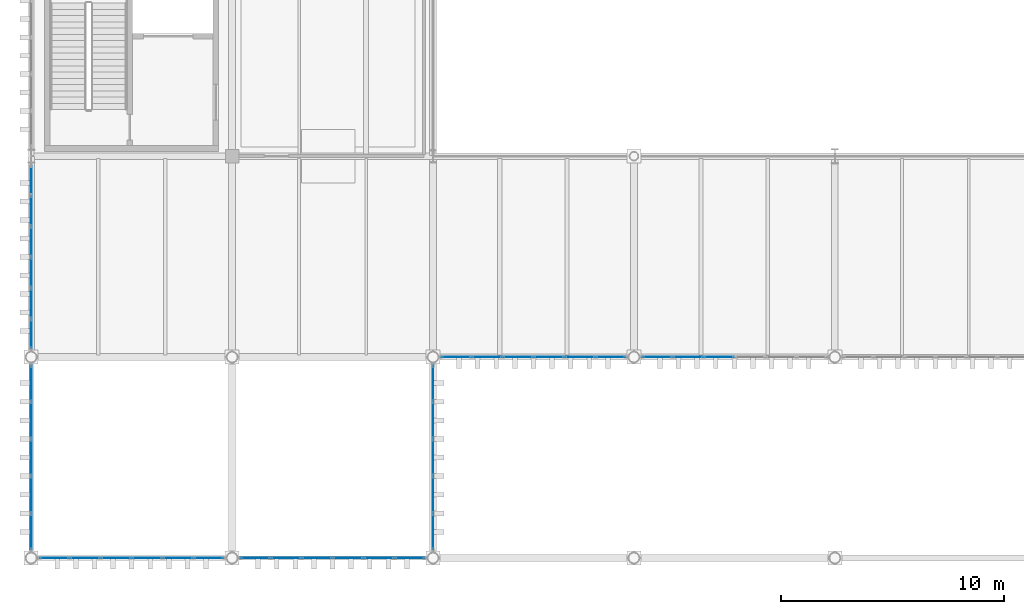
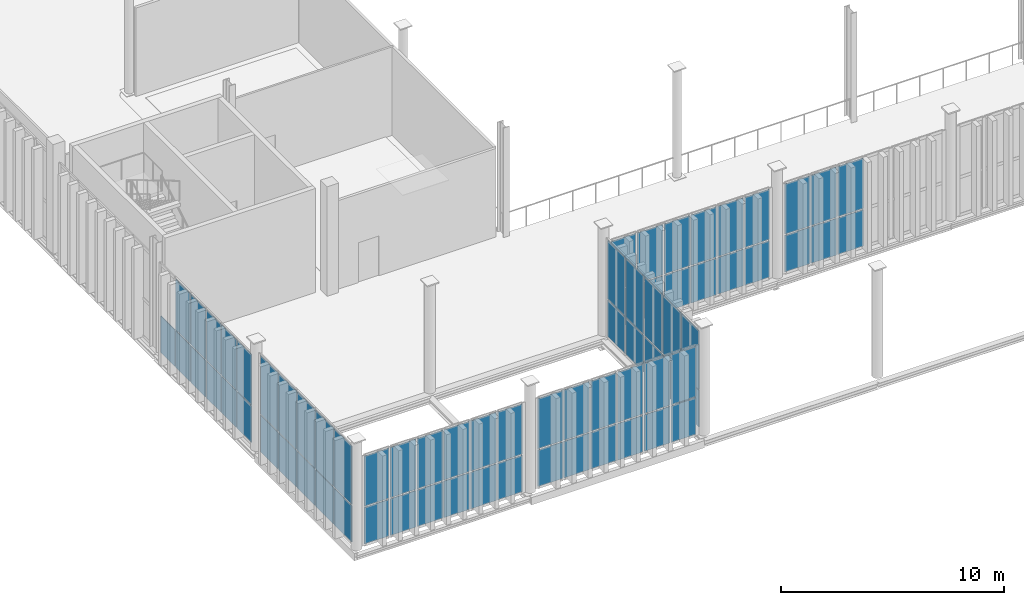
# One storey, part 151 of 211: 73 plates, 7 elements without a shape of their own.
"""IFC4 building model written with IfcOpenShell, lengths in metres."""

import ifcopenshell
import ifcopenshell.guid

model = None  # the IFC model being written
_history = None  # IfcOwnerHistory: only IFC2X3 demands one
_inside = {}  # id of a spatial element -> (the spatial element, [elements in it])
_under = {}  # id of a project, library or spatial element -> (it, [spatial elements below it])
_declared = {}  # id of a project -> (the project, [libraries it declares])
_typed = {}  # id of a type object -> (the type object, [elements of that type])
_made_of = {}  # id of a material, layer set ... -> (it, [elements and type objects made of it])


def new_model(schema):
    """Start an empty IFC model of exactly this schema.

    Asked for "IFC4X3", IfcOpenShell would pick the latest addendum, in which some entities
    have other attributes; the version numbers below select the first issue.
    IFC2X3 requires an IfcOwnerHistory on every rooted entity: one is made here for all.
    """
    global model, _history
    if schema == "IFC4X3":
        model = ifcopenshell.file(schema_version=(4, 3, 0, 0))
    else:
        model = ifcopenshell.file(schema=schema)
    _inside.clear()
    _under.clear()
    _declared.clear()
    _typed.clear()
    _made_of.clear()
    _history = None
    if model.schema == "IFC2X3":
        org = make("IfcOrganization", Name="unknown")
        user = make(
            "IfcPersonAndOrganization",
            ThePerson=make("IfcPerson", FamilyName="unknown"),
            TheOrganization=org,
        )
        app = make(
            "IfcApplication",
            ApplicationDeveloper=org,
            Version="unknown",
            ApplicationFullName="unknown",
            ApplicationIdentifier="unknown",
        )
        _history = make(
            "IfcOwnerHistory",
            OwningUser=user,
            OwningApplication=app,
            ChangeAction="ADDED",
            CreationDate=0,
        )
    return model


def make(cls, **values):
    """One entity of the class cls with the attributes given. An attribute that is None is left unset."""
    return model.create_entity(
        cls, **{name: value for name, value in values.items() if value is not None}
    )


def rooted(cls, **values):
    """An entity with a GlobalId (a new one), such as an element, a storey or a relation."""
    return make(cls, GlobalId=ifcopenshell.guid.new(), OwnerHistory=_history, **values)


def si_unit(unit_type, name, prefix=None):
    """IfcSIUnit, for example si_unit("LENGTHUNIT", "METRE", prefix="MILLI")."""
    return make("IfcSIUnit", UnitType=unit_type, Prefix=prefix, Name=name)


def assignment(units):
    """IfcUnitAssignment: the units of a project."""
    return None if units is None else make("IfcUnitAssignment", Units=units)


def point(xyz):
    """IfcCartesianPoint."""
    return None if xyz is None else make("IfcCartesianPoint", Coordinates=xyz)


def direction(xyz):
    """IfcDirection."""
    return None if xyz is None else make("IfcDirection", DirectionRatios=xyz)


def frame(location, z_axis=None, x_axis=None):
    """IfcAxis2Placement3D, a coordinate frame: its origin and axes. An axis left out is left unset."""
    return make(
        "IfcAxis2Placement3D",
        Location=point(location),
        Axis=direction(z_axis),
        RefDirection=direction(x_axis),
    )


def frame_2d(location, x_axis=None):
    """IfcAxis2Placement2D, a coordinate frame in the plane: its origin and x axis."""
    return make(
        "IfcAxis2Placement2D", Location=point(location), RefDirection=direction(x_axis)
    )


def origin():
    """The frame at (0, 0, 0) with its axes left unset."""
    return frame((0.0, 0.0, 0.0))


def origin_2d():
    """The frame at (0, 0) in the plane with its x axis left unset."""
    return frame_2d((0.0, 0.0))


def place(relative_to, where):
    """IfcLocalPlacement: puts the frame where relative to a parent placement (None: the world)."""
    return make(
        "IfcLocalPlacement", PlacementRelTo=relative_to, RelativePlacement=where
    )


def context(
    kind, dimensions, precision=None, world=None, true_north=None, identifier=None
):
    """IfcGeometricRepresentationContext, for example the 3D "Model" context."""
    return make(
        "IfcGeometricRepresentationContext",
        ContextIdentifier=identifier,
        ContextType=kind,
        CoordinateSpaceDimension=dimensions,
        Precision=precision,
        WorldCoordinateSystem=world,
        TrueNorth=true_north,
    )


def subcontext(parent, identifier, kind, view, scale=None):
    """IfcGeometricRepresentationSubContext, for example "Body" below "Model"."""
    return make(
        "IfcGeometricRepresentationSubContext",
        ContextIdentifier=identifier,
        ContextType=kind,
        ParentContext=parent,
        TargetScale=scale,
        TargetView=view,
    )


def project(units=None, contexts=None):
    """IfcProject with its units and contexts."""
    return rooted(
        "IfcProject",
        Name="project",
        RepresentationContexts=contexts,
        UnitsInContext=assignment(units),
    )


def spatial(cls, under=None, at=None, **own):
    """A site, building, storey or space (cls), placed at a placement, below another one or the project."""
    s = rooted(cls, ObjectPlacement=at, **own)
    if under is not None:
        _under.setdefault(under.id(), (under, []))[1].append(s)
    return s


def profile(cls, at=None, kind="AREA", **sizes):
    """A parametric profile (cls). Its sizes go by their IFC names, for example OverallWidth=200.0."""
    return make(cls, ProfileType=kind, Position=at, **sizes)


def rectangle(**sizes):
    """IfcRectangleProfileDef."""
    return profile("IfcRectangleProfileDef", **sizes)


def extrude(swept, where, along, depth):
    """IfcExtrudedAreaSolid: the profile swept, set in the frame where, extruded along a direction by depth."""
    return make(
        "IfcExtrudedAreaSolid",
        SweptArea=swept,
        Position=where,
        ExtrudedDirection=direction(along),
        Depth=depth,
    )


def shape(context_of_items, identifier, shape_type, items):
    """IfcShapeRepresentation: the items that make up one representation, for example the "Body"."""
    return make(
        "IfcShapeRepresentation",
        ContextOfItems=context_of_items,
        RepresentationIdentifier=identifier,
        RepresentationType=shape_type,
        Items=items,
    )


def material(Name=None, Category=None):
    """IfcMaterial."""
    return make("IfcMaterial", Name=Name, Category=Category)


def layer(
    of_material, thickness, ventilated=None, Name=None, Category=None, Priority=None
):
    """IfcMaterialLayer: one layer of a wall or slab, of a material (None: an air gap)."""
    return make(
        "IfcMaterialLayer",
        Material=of_material,
        LayerThickness=thickness,
        IsVentilated=ventilated,
        Name=Name,
        Category=Category,
        Priority=Priority,
    )


def layer_set(layers, Name=None):
    """IfcMaterialLayerSet."""
    return make("IfcMaterialLayerSet", MaterialLayers=layers, LayerSetName=Name)


def made_of(thing, what):
    """Note that an element or type object is made of a material, layer set ...; save() writes the relation."""
    if what is not None:
        _made_of.setdefault(what.id(), (what, []))[1].append(thing)
    return thing


def type_object(cls, material=None, **own):
    """A type object (cls), such as IfcWallType, which elements share."""
    return made_of(rooted(cls, **own), material)


def element(
    cls,
    number,
    at=None,
    inside=None,
    cuts=None,
    type_object=None,
    material=None,
    context=None,
    identifier="Body",
    shape_type=None,
    held_by="IfcProductDefinitionShape",
    body=None,
    shapes=None,
    **own,
):
    """One element of the class cls, such as IfcWall. Its Tag is "e" and its number.

    at: its placement. inside: the storey or other place that contains it. cuts: it is an
    opening in that element (IfcRelVoidsElement). A single representation is given by context,
    identifier, shape_type and body (its items); several are given by shapes. held_by: the class
    of the entity that holds the representations. save() writes the other relations.
    """
    e = rooted(cls, Tag="e%d" % number, ObjectPlacement=at, **own)
    if body is not None:
        shapes = [shape(context, identifier, shape_type, body)]
    if shapes is not None:
        e.Representation = make(held_by, Representations=shapes)
    if inside is not None:
        _inside.setdefault(inside.id(), (inside, []))[1].append(e)
    if cuts is not None:
        rooted(
            "IfcRelVoidsElement", RelatingBuildingElement=cuts, RelatedOpeningElement=e
        )
    if type_object is not None:
        _typed.setdefault(type_object.id(), (type_object, []))[1].append(e)
    return made_of(e, material)


def aggregate(whole, parts):
    """IfcRelAggregates: a whole, such as a stair, and the parts it consists of."""
    return rooted("IfcRelAggregates", RelatingObject=whole, RelatedObjects=parts)


def save(model, path):
    """Write the relations noted so far, then the file.

    IfcRelAggregates (storeys below a building ...), IfcRelContainedInSpatialStructure (elements
    in a storey), IfcRelDefinesByType, IfcRelAssociatesMaterial and IfcRelDeclares: one each for
    every whole, place, type object, material and project.
    """
    for whole, parts in _under.values():
        aggregate(whole, parts)
    for where, things in _inside.values():
        rooted(
            "IfcRelContainedInSpatialStructure",
            RelatedElements=things,
            RelatingStructure=where,
        )
    for kind, things in _typed.values():
        rooted("IfcRelDefinesByType", RelatedObjects=things, RelatingType=kind)
    for what, things in _made_of.values():
        rooted("IfcRelAssociatesMaterial", RelatedObjects=things, RelatingMaterial=what)
    for by, libraries in _declared.values():
        rooted("IfcRelDeclares", RelatingContext=by, RelatedDefinitions=libraries)
    model.write(path)


model = new_model("IFC4")

# Units and contexts
model_context = context("Model", 3, precision=1e-05, world=origin(), true_north=direction((0.0, 1.0)))
body_context = subcontext(model_context, "Body", "Model", "MODEL_VIEW")
ifc_project = project(units=[si_unit("LENGTHUNIT", "METRE"), si_unit("AREAUNIT", "SQUARE_METRE"), si_unit("VOLUMEUNIT", "CUBIC_METRE"), si_unit("PLANEANGLEUNIT", "RADIAN"), si_unit("MASSUNIT", "GRAM", prefix="KILO")], contexts=[model_context])

# Site, building, storey
site_placement = place(None, origin())
site = spatial("IfcSite", under=ifc_project, at=site_placement, CompositionType="ELEMENT")
building_placement = place(site_placement, origin())
building = spatial("IfcBuilding", under=site, at=building_placement, Name="Barlavento Convention Centre", CompositionType="ELEMENT")
storey_placement = place(building_placement, frame((0.0, 0.0, 6.0)))
storey = spatial("IfcBuildingStorey", under=building, at=storey_placement, Name="L01", CompositionType="ELEMENT", Elevation=6.0)

# Curtain wall, plates
ifc_material_1 = material(Name="Powder-coated aluminium and Low-E glass", Category="aluminium")
ifc_layer_1 = layer(ifc_material_1, 0.18505859375)
ifc_layer_set_1 = layer_set([ifc_layer_1], Name="ARC-CW-CONG-L01")
curtain_wall_type = type_object("IfcCurtainWallType", Name="ARC-CW-CONG-L01", PredefinedType="NOTDEFINED", material=ifc_layer_set_1)
curtain_wall_1_placement = place(storey_placement, origin())
curtain_wall_1 = element("IfcCurtainWall", 1, at=curtain_wall_1_placement, inside=storey, type_object=curtain_wall_type, Name="L01 unitised curtain wall CW01", PredefinedType="NOTDEFINED")
ifc_material_2 = material(Name="Double-silver Low-E acoustic laminated glass", Category="glass")
ifc_layer_2 = layer(ifc_material_2, 0.031982421875)
ifc_layer_set_2 = layer_set([ifc_layer_2], Name="ARC-CWP-GLZ32")
plate_type = type_object("IfcPlateType", Name="ARC-CWP-GLZ32", PredefinedType="CURTAIN_PANEL", material=ifc_layer_set_2)
plate_1_placement = place(storey_placement, frame((1.044677734375, 0.0, 0.06494140625), z_axis=(0.0, 0.0, 1.0), x_axis=(1.0, 0.0, 0.0)))
plate_1 = element("IfcPlate", 2, at=plate_1_placement, type_object=plate_type, Name="CW01 panel 1.1", PredefinedType="CURTAIN_PANEL", context=body_context, shape_type="SweptSolid", body=[
    extrude(rectangle(XDim=1.291259765625, YDim=0.031982421875, at=origin_2d()), origin(), (0.0, 0.0, 1.0), 2.00244140625),
])
plate_2_placement = place(storey_placement, frame((1.044677734375, 0.0, 2.132568359375), z_axis=(0.0, 0.0, 1.0), x_axis=(1.0, 0.0, 0.0)))
plate_2 = element("IfcPlate", 3, at=plate_2_placement, type_object=plate_type, Name="CW01 panel 1.2", PredefinedType="CURTAIN_PANEL", context=body_context, shape_type="SweptSolid", body=[
    extrude(rectangle(XDim=1.291259765625, YDim=0.031982421875, at=origin_2d()), origin(), (0.0, 0.0, 1.0), 2.75244140625),
])
plate_3_placement = place(storey_placement, frame((2.4169921875, 0.0, 0.06494140625), z_axis=(0.0, 0.0, 1.0), x_axis=(1.0, 0.0, 0.0)))
plate_3 = element("IfcPlate", 4, at=plate_3_placement, type_object=plate_type, Name="CW01 panel 2.1", PredefinedType="CURTAIN_PANEL", context=body_context, shape_type="SweptSolid", body=[
    extrude(rectangle(XDim=1.32373046875, YDim=0.031982421875, at=origin_2d()), origin(), (0.0, 0.0, 1.0), 2.00244140625),
])
plate_4_placement = place(storey_placement, frame((2.4169921875, 0.0, 2.132568359375), z_axis=(0.0, 0.0, 1.0), x_axis=(1.0, 0.0, 0.0)))
plate_4 = element("IfcPlate", 5, at=plate_4_placement, type_object=plate_type, Name="CW01 panel 2.2", PredefinedType="CURTAIN_PANEL", context=body_context, shape_type="SweptSolid", body=[
    extrude(rectangle(XDim=1.32373046875, YDim=0.031982421875, at=origin_2d()), origin(), (0.0, 0.0, 1.0), 2.75244140625),
])
plate_5_placement = place(storey_placement, frame((3.8056640625, 0.0, 0.06494140625), z_axis=(0.0, 0.0, 1.0), x_axis=(1.0, 0.0, 0.0)))
plate_5 = element("IfcPlate", 6, at=plate_5_placement, type_object=plate_type, Name="CW01 panel 3.1", PredefinedType="CURTAIN_PANEL", context=body_context, shape_type="SweptSolid", body=[
    extrude(rectangle(XDim=1.32373046875, YDim=0.031982421875, at=origin_2d()), origin(), (0.0, 0.0, 1.0), 2.00244140625),
])
plate_6_placement = place(storey_placement, frame((3.8056640625, 0.0, 2.132568359375), z_axis=(0.0, 0.0, 1.0), x_axis=(1.0, 0.0, 0.0)))
plate_6 = element("IfcPlate", 7, at=plate_6_placement, type_object=plate_type, Name="CW01 panel 3.2", PredefinedType="CURTAIN_PANEL", context=body_context, shape_type="SweptSolid", body=[
    extrude(rectangle(XDim=1.32373046875, YDim=0.031982421875, at=origin_2d()), origin(), (0.0, 0.0, 1.0), 2.75244140625),
])
plate_7_placement = place(storey_placement, frame((5.1943359375, 0.0, 0.06494140625), z_axis=(0.0, 0.0, 1.0), x_axis=(1.0, 0.0, 0.0)))
plate_7 = element("IfcPlate", 8, at=plate_7_placement, type_object=plate_type, Name="CW01 panel 4.1", PredefinedType="CURTAIN_PANEL", context=body_context, shape_type="SweptSolid", body=[
    extrude(rectangle(XDim=1.32373046875, YDim=0.031982421875, at=origin_2d()), origin(), (0.0, 0.0, 1.0), 2.00244140625),
])
plate_8_placement = place(storey_placement, frame((5.1943359375, 0.0, 2.132568359375), z_axis=(0.0, 0.0, 1.0), x_axis=(1.0, 0.0, 0.0)))
plate_8 = element("IfcPlate", 9, at=plate_8_placement, type_object=plate_type, Name="CW01 panel 4.2", PredefinedType="CURTAIN_PANEL", context=body_context, shape_type="SweptSolid", body=[
    extrude(rectangle(XDim=1.32373046875, YDim=0.031982421875, at=origin_2d()), origin(), (0.0, 0.0, 1.0), 2.75244140625),
])
plate_9_placement = place(storey_placement, frame((6.5830078125, 0.0, 0.06494140625), z_axis=(0.0, 0.0, 1.0), x_axis=(1.0, 0.0, 0.0)))
plate_9 = element("IfcPlate", 10, at=plate_9_placement, type_object=plate_type, Name="CW01 panel 5.1", PredefinedType="CURTAIN_PANEL", context=body_context, shape_type="SweptSolid", body=[
    extrude(rectangle(XDim=1.32373046875, YDim=0.031982421875, at=origin_2d()), origin(), (0.0, 0.0, 1.0), 2.00244140625),
])
plate_10_placement = place(storey_placement, frame((6.5830078125, 0.0, 2.132568359375), z_axis=(0.0, 0.0, 1.0), x_axis=(1.0, 0.0, 0.0)))
plate_10 = element("IfcPlate", 11, at=plate_10_placement, type_object=plate_type, Name="CW01 panel 5.2", PredefinedType="CURTAIN_PANEL", context=body_context, shape_type="SweptSolid", body=[
    extrude(rectangle(XDim=1.32373046875, YDim=0.031982421875, at=origin_2d()), origin(), (0.0, 0.0, 1.0), 2.75244140625),
])
plate_11_placement = place(storey_placement, frame((7.955322265625, 0.0, 0.06494140625), z_axis=(0.0, 0.0, 1.0), x_axis=(1.0, 0.0, 0.0)))
plate_11 = element("IfcPlate", 12, at=plate_11_placement, type_object=plate_type, Name="CW01 panel 6.1", PredefinedType="CURTAIN_PANEL", context=body_context, shape_type="SweptSolid", body=[
    extrude(rectangle(XDim=1.291259765625, YDim=0.031982421875, at=origin_2d()), origin(), (0.0, 0.0, 1.0), 2.00244140625),
])
plate_12_placement = place(storey_placement, frame((7.955322265625, 0.0, 2.132568359375), z_axis=(0.0, 0.0, 1.0), x_axis=(1.0, 0.0, 0.0)))
plate_12 = element("IfcPlate", 13, at=plate_12_placement, type_object=plate_type, Name="CW01 panel 6.2", PredefinedType="CURTAIN_PANEL", context=body_context, shape_type="SweptSolid", body=[
    extrude(rectangle(XDim=1.291259765625, YDim=0.031982421875, at=origin_2d()), origin(), (0.0, 0.0, 1.0), 2.75244140625),
])
aggregate(curtain_wall_1, [plate_1, plate_2, plate_3, plate_4, plate_5, plate_6, plate_7, plate_8, plate_9, plate_10, plate_11, plate_12])

curtain_wall_2_placement = place(storey_placement, origin())
curtain_wall_2 = element("IfcCurtainWall", 14, at=curtain_wall_2_placement, inside=storey, type_object=curtain_wall_type, Name="L01 unitised curtain wall CW01", PredefinedType="NOTDEFINED")
plate_13_placement = place(storey_placement, frame((10.044677734375, 0.0, 0.06494140625), z_axis=(0.0, 0.0, 1.0), x_axis=(1.0, 0.0, 0.0)))
plate_13 = element("IfcPlate", 15, at=plate_13_placement, type_object=plate_type, Name="CW01 panel 1.1", PredefinedType="CURTAIN_PANEL", context=body_context, shape_type="SweptSolid", body=[
    extrude(rectangle(XDim=1.291259765625, YDim=0.031982421875, at=origin_2d()), origin(), (0.0, 0.0, 1.0), 2.00244140625),
])
plate_14_placement = place(storey_placement, frame((10.044677734375, 0.0, 2.132568359375), z_axis=(0.0, 0.0, 1.0), x_axis=(1.0, 0.0, 0.0)))
plate_14 = element("IfcPlate", 16, at=plate_14_placement, type_object=plate_type, Name="CW01 panel 1.2", PredefinedType="CURTAIN_PANEL", context=body_context, shape_type="SweptSolid", body=[
    extrude(rectangle(XDim=1.291259765625, YDim=0.031982421875, at=origin_2d()), origin(), (0.0, 0.0, 1.0), 2.75244140625),
])
plate_15_placement = place(storey_placement, frame((11.4169921875, 0.0, 0.06494140625), z_axis=(0.0, 0.0, 1.0), x_axis=(1.0, 0.0, 0.0)))
plate_15 = element("IfcPlate", 17, at=plate_15_placement, type_object=plate_type, Name="CW01 panel 2.1", PredefinedType="CURTAIN_PANEL", context=body_context, shape_type="SweptSolid", body=[
    extrude(rectangle(XDim=1.32373046875, YDim=0.031982421875, at=origin_2d()), origin(), (0.0, 0.0, 1.0), 2.00244140625),
])
plate_16_placement = place(storey_placement, frame((11.4169921875, 0.0, 2.132568359375), z_axis=(0.0, 0.0, 1.0), x_axis=(1.0, 0.0, 0.0)))
plate_16 = element("IfcPlate", 18, at=plate_16_placement, type_object=plate_type, Name="CW01 panel 2.2", PredefinedType="CURTAIN_PANEL", context=body_context, shape_type="SweptSolid", body=[
    extrude(rectangle(XDim=1.32373046875, YDim=0.031982421875, at=origin_2d()), origin(), (0.0, 0.0, 1.0), 2.75244140625),
])
plate_17_placement = place(storey_placement, frame((12.8056640625, 0.0, 0.06494140625), z_axis=(0.0, 0.0, 1.0), x_axis=(1.0, 0.0, 0.0)))
plate_17 = element("IfcPlate", 19, at=plate_17_placement, type_object=plate_type, Name="CW01 panel 3.1", PredefinedType="CURTAIN_PANEL", context=body_context, shape_type="SweptSolid", body=[
    extrude(rectangle(XDim=1.32373046875, YDim=0.031982421875, at=origin_2d()), origin(), (0.0, 0.0, 1.0), 2.00244140625),
])
plate_18_placement = place(storey_placement, frame((12.8056640625, 0.0, 2.132568359375), z_axis=(0.0, 0.0, 1.0), x_axis=(1.0, 0.0, 0.0)))
plate_18 = element("IfcPlate", 20, at=plate_18_placement, type_object=plate_type, Name="CW01 panel 3.2", PredefinedType="CURTAIN_PANEL", context=body_context, shape_type="SweptSolid", body=[
    extrude(rectangle(XDim=1.32373046875, YDim=0.031982421875, at=origin_2d()), origin(), (0.0, 0.0, 1.0), 2.75244140625),
])
plate_19_placement = place(storey_placement, frame((14.1943359375, 0.0, 0.06494140625), z_axis=(0.0, 0.0, 1.0), x_axis=(1.0, 0.0, 0.0)))
plate_19 = element("IfcPlate", 21, at=plate_19_placement, type_object=plate_type, Name="CW01 panel 4.1", PredefinedType="CURTAIN_PANEL", context=body_context, shape_type="SweptSolid", body=[
    extrude(rectangle(XDim=1.32373046875, YDim=0.031982421875, at=origin_2d()), origin(), (0.0, 0.0, 1.0), 2.00244140625),
])
plate_20_placement = place(storey_placement, frame((14.1943359375, 0.0, 2.132568359375), z_axis=(0.0, 0.0, 1.0), x_axis=(1.0, 0.0, 0.0)))
plate_20 = element("IfcPlate", 22, at=plate_20_placement, type_object=plate_type, Name="CW01 panel 4.2", PredefinedType="CURTAIN_PANEL", context=body_context, shape_type="SweptSolid", body=[
    extrude(rectangle(XDim=1.32373046875, YDim=0.031982421875, at=origin_2d()), origin(), (0.0, 0.0, 1.0), 2.75244140625),
])
plate_21_placement = place(storey_placement, frame((15.5830078125, 0.0, 0.06494140625), z_axis=(0.0, 0.0, 1.0), x_axis=(1.0, 0.0, 0.0)))
plate_21 = element("IfcPlate", 23, at=plate_21_placement, type_object=plate_type, Name="CW01 panel 5.1", PredefinedType="CURTAIN_PANEL", context=body_context, shape_type="SweptSolid", body=[
    extrude(rectangle(XDim=1.32373046875, YDim=0.031982421875, at=origin_2d()), origin(), (0.0, 0.0, 1.0), 2.00244140625),
])
plate_22_placement = place(storey_placement, frame((15.5830078125, 0.0, 2.132568359375), z_axis=(0.0, 0.0, 1.0), x_axis=(1.0, 0.0, 0.0)))
plate_22 = element("IfcPlate", 24, at=plate_22_placement, type_object=plate_type, Name="CW01 panel 5.2", PredefinedType="CURTAIN_PANEL", context=body_context, shape_type="SweptSolid", body=[
    extrude(rectangle(XDim=1.32373046875, YDim=0.031982421875, at=origin_2d()), origin(), (0.0, 0.0, 1.0), 2.75244140625),
])
plate_23_placement = place(storey_placement, frame((16.955322265625, 0.0, 0.06494140625), z_axis=(0.0, 0.0, 1.0), x_axis=(1.0, 0.0, 0.0)))
plate_23 = element("IfcPlate", 25, at=plate_23_placement, type_object=plate_type, Name="CW01 panel 6.1", PredefinedType="CURTAIN_PANEL", context=body_context, shape_type="SweptSolid", body=[
    extrude(rectangle(XDim=1.291259765625, YDim=0.031982421875, at=origin_2d()), origin(), (0.0, 0.0, 1.0), 2.00244140625),
])
plate_24_placement = place(storey_placement, frame((16.955322265625, 0.0, 2.132568359375), z_axis=(0.0, 0.0, 1.0), x_axis=(1.0, 0.0, 0.0)))
plate_24 = element("IfcPlate", 26, at=plate_24_placement, type_object=plate_type, Name="CW01 panel 6.2", PredefinedType="CURTAIN_PANEL", context=body_context, shape_type="SweptSolid", body=[
    extrude(rectangle(XDim=1.291259765625, YDim=0.031982421875, at=origin_2d()), origin(), (0.0, 0.0, 1.0), 2.75244140625),
])
aggregate(curtain_wall_2, [plate_13, plate_14, plate_15, plate_16, plate_17, plate_18, plate_19, plate_20, plate_21, plate_22, plate_23, plate_24])

curtain_wall_3_placement = place(storey_placement, origin())
curtain_wall_3 = element("IfcCurtainWall", 27, at=curtain_wall_3_placement, inside=storey, type_object=curtain_wall_type, Name="L01 unitised curtain wall CW01", PredefinedType="NOTDEFINED")
plate_25_placement = place(storey_placement, frame((19.044677734375, 9.0, 0.06494140625), z_axis=(0.0, 0.0, 1.0), x_axis=(1.0, 0.0, 0.0)))
plate_25 = element("IfcPlate", 28, at=plate_25_placement, type_object=plate_type, Name="CW01 panel 1.1", PredefinedType="CURTAIN_PANEL", context=body_context, shape_type="SweptSolid", body=[
    extrude(rectangle(XDim=1.291259765625, YDim=0.031982421875, at=origin_2d()), origin(), (0.0, 0.0, 1.0), 2.00244140625),
])
plate_26_placement = place(storey_placement, frame((19.044677734375, 9.0, 2.132568359375), z_axis=(0.0, 0.0, 1.0), x_axis=(1.0, 0.0, 0.0)))
plate_26 = element("IfcPlate", 29, at=plate_26_placement, type_object=plate_type, Name="CW01 panel 1.2", PredefinedType="CURTAIN_PANEL", context=body_context, shape_type="SweptSolid", body=[
    extrude(rectangle(XDim=1.291259765625, YDim=0.031982421875, at=origin_2d()), origin(), (0.0, 0.0, 1.0), 2.75244140625),
])
plate_27_placement = place(storey_placement, frame((20.4169921875, 9.0, 0.06494140625), z_axis=(0.0, 0.0, 1.0), x_axis=(1.0, 0.0, 0.0)))
plate_27 = element("IfcPlate", 30, at=plate_27_placement, type_object=plate_type, Name="CW01 panel 2.1", PredefinedType="CURTAIN_PANEL", context=body_context, shape_type="SweptSolid", body=[
    extrude(rectangle(XDim=1.32373046875, YDim=0.031982421875, at=origin_2d()), origin(), (0.0, 0.0, 1.0), 2.00244140625),
])
plate_28_placement = place(storey_placement, frame((20.4169921875, 9.0, 2.132568359375), z_axis=(0.0, 0.0, 1.0), x_axis=(1.0, 0.0, 0.0)))
plate_28 = element("IfcPlate", 31, at=plate_28_placement, type_object=plate_type, Name="CW01 panel 2.2", PredefinedType="CURTAIN_PANEL", context=body_context, shape_type="SweptSolid", body=[
    extrude(rectangle(XDim=1.32373046875, YDim=0.031982421875, at=origin_2d()), origin(), (0.0, 0.0, 1.0), 2.75244140625),
])
plate_29_placement = place(storey_placement, frame((21.8056640625, 9.0, 0.06494140625), z_axis=(0.0, 0.0, 1.0), x_axis=(1.0, 0.0, 0.0)))
plate_29 = element("IfcPlate", 32, at=plate_29_placement, type_object=plate_type, Name="CW01 panel 3.1", PredefinedType="CURTAIN_PANEL", context=body_context, shape_type="SweptSolid", body=[
    extrude(rectangle(XDim=1.32373046875, YDim=0.031982421875, at=origin_2d()), origin(), (0.0, 0.0, 1.0), 2.00244140625),
])
plate_30_placement = place(storey_placement, frame((21.8056640625, 9.0, 2.132568359375), z_axis=(0.0, 0.0, 1.0), x_axis=(1.0, 0.0, 0.0)))
plate_30 = element("IfcPlate", 33, at=plate_30_placement, type_object=plate_type, Name="CW01 panel 3.2", PredefinedType="CURTAIN_PANEL", context=body_context, shape_type="SweptSolid", body=[
    extrude(rectangle(XDim=1.32373046875, YDim=0.031982421875, at=origin_2d()), origin(), (0.0, 0.0, 1.0), 2.75244140625),
])
plate_31_placement = place(storey_placement, frame((23.1943359375, 9.0, 0.06494140625), z_axis=(0.0, 0.0, 1.0), x_axis=(1.0, 0.0, 0.0)))
plate_31 = element("IfcPlate", 34, at=plate_31_placement, type_object=plate_type, Name="CW01 panel 4.1", PredefinedType="CURTAIN_PANEL", context=body_context, shape_type="SweptSolid", body=[
    extrude(rectangle(XDim=1.32373046875, YDim=0.031982421875, at=origin_2d()), origin(), (0.0, 0.0, 1.0), 2.00244140625),
])
plate_32_placement = place(storey_placement, frame((23.1943359375, 9.0, 2.132568359375), z_axis=(0.0, 0.0, 1.0), x_axis=(1.0, 0.0, 0.0)))
plate_32 = element("IfcPlate", 35, at=plate_32_placement, type_object=plate_type, Name="CW01 panel 4.2", PredefinedType="CURTAIN_PANEL", context=body_context, shape_type="SweptSolid", body=[
    extrude(rectangle(XDim=1.32373046875, YDim=0.031982421875, at=origin_2d()), origin(), (0.0, 0.0, 1.0), 2.75244140625),
])
plate_33_placement = place(storey_placement, frame((24.5830078125, 9.0, 0.06494140625), z_axis=(0.0, 0.0, 1.0), x_axis=(1.0, 0.0, 0.0)))
plate_33 = element("IfcPlate", 36, at=plate_33_placement, type_object=plate_type, Name="CW01 panel 5.1", PredefinedType="CURTAIN_PANEL", context=body_context, shape_type="SweptSolid", body=[
    extrude(rectangle(XDim=1.32373046875, YDim=0.031982421875, at=origin_2d()), origin(), (0.0, 0.0, 1.0), 2.00244140625),
])
plate_34_placement = place(storey_placement, frame((24.5830078125, 9.0, 2.132568359375), z_axis=(0.0, 0.0, 1.0), x_axis=(1.0, 0.0, 0.0)))
plate_34 = element("IfcPlate", 37, at=plate_34_placement, type_object=plate_type, Name="CW01 panel 5.2", PredefinedType="CURTAIN_PANEL", context=body_context, shape_type="SweptSolid", body=[
    extrude(rectangle(XDim=1.32373046875, YDim=0.031982421875, at=origin_2d()), origin(), (0.0, 0.0, 1.0), 2.75244140625),
])
plate_35_placement = place(storey_placement, frame((25.955322265625, 9.0, 0.06494140625), z_axis=(0.0, 0.0, 1.0), x_axis=(1.0, 0.0, 0.0)))
plate_35 = element("IfcPlate", 38, at=plate_35_placement, type_object=plate_type, Name="CW01 panel 6.1", PredefinedType="CURTAIN_PANEL", context=body_context, shape_type="SweptSolid", body=[
    extrude(rectangle(XDim=1.291259765625, YDim=0.031982421875, at=origin_2d()), origin(), (0.0, 0.0, 1.0), 2.00244140625),
])
plate_36_placement = place(storey_placement, frame((25.955322265625, 9.0, 2.132568359375), z_axis=(0.0, 0.0, 1.0), x_axis=(1.0, 0.0, 0.0)))
plate_36 = element("IfcPlate", 39, at=plate_36_placement, type_object=plate_type, Name="CW01 panel 6.2", PredefinedType="CURTAIN_PANEL", context=body_context, shape_type="SweptSolid", body=[
    extrude(rectangle(XDim=1.291259765625, YDim=0.031982421875, at=origin_2d()), origin(), (0.0, 0.0, 1.0), 2.75244140625),
])
aggregate(curtain_wall_3, [plate_25, plate_26, plate_27, plate_28, plate_29, plate_30, plate_31, plate_32, plate_33, plate_34, plate_35, plate_36])

curtain_wall_4_placement = place(storey_placement, origin())
curtain_wall_4 = element("IfcCurtainWall", 40, at=curtain_wall_4_placement, inside=storey, type_object=curtain_wall_type, Name="L01 unitised curtain wall CW01", PredefinedType="NOTDEFINED")
plate_37_placement = place(storey_placement, frame((28.044677734375, 9.0, 0.06494140625), z_axis=(0.0, 0.0, 1.0), x_axis=(1.0, 0.0, 0.0)))
plate_37 = element("IfcPlate", 41, at=plate_37_placement, type_object=plate_type, Name="CW01 panel 1.1", PredefinedType="CURTAIN_PANEL", context=body_context, shape_type="SweptSolid", body=[
    extrude(rectangle(XDim=1.291259765625, YDim=0.031982421875, at=origin_2d()), origin(), (0.0, 0.0, 1.0), 2.00244140625),
])
plate_38_placement = place(storey_placement, frame((28.044677734375, 9.0, 2.132568359375), z_axis=(0.0, 0.0, 1.0), x_axis=(1.0, 0.0, 0.0)))
plate_38 = element("IfcPlate", 42, at=plate_38_placement, type_object=plate_type, Name="CW01 panel 1.2", PredefinedType="CURTAIN_PANEL", context=body_context, shape_type="SweptSolid", body=[
    extrude(rectangle(XDim=1.291259765625, YDim=0.031982421875, at=origin_2d()), origin(), (0.0, 0.0, 1.0), 2.75244140625),
])
plate_39_placement = place(storey_placement, frame((29.4169921875, 9.0, 0.06494140625), z_axis=(0.0, 0.0, 1.0), x_axis=(1.0, 0.0, 0.0)))
plate_39 = element("IfcPlate", 43, at=plate_39_placement, type_object=plate_type, Name="CW01 panel 2.1", PredefinedType="CURTAIN_PANEL", context=body_context, shape_type="SweptSolid", body=[
    extrude(rectangle(XDim=1.32373046875, YDim=0.031982421875, at=origin_2d()), origin(), (0.0, 0.0, 1.0), 2.00244140625),
])
plate_40_placement = place(storey_placement, frame((29.4169921875, 9.0, 2.132568359375), z_axis=(0.0, 0.0, 1.0), x_axis=(1.0, 0.0, 0.0)))
plate_40 = element("IfcPlate", 44, at=plate_40_placement, type_object=plate_type, Name="CW01 panel 2.2", PredefinedType="CURTAIN_PANEL", context=body_context, shape_type="SweptSolid", body=[
    extrude(rectangle(XDim=1.32373046875, YDim=0.031982421875, at=origin_2d()), origin(), (0.0, 0.0, 1.0), 2.75244140625),
])
plate_41_placement = place(storey_placement, frame((30.8056640625, 9.0, 0.06494140625), z_axis=(0.0, 0.0, 1.0), x_axis=(1.0, 0.0, 0.0)))
plate_41 = element("IfcPlate", 45, at=plate_41_placement, type_object=plate_type, Name="CW01 panel 3.1", PredefinedType="CURTAIN_PANEL", context=body_context, shape_type="SweptSolid", body=[
    extrude(rectangle(XDim=1.32373046875, YDim=0.031982421875, at=origin_2d()), origin(), (0.0, 0.0, 1.0), 2.00244140625),
])
plate_42_placement = place(storey_placement, frame((30.8056640625, 9.0, 2.132568359375), z_axis=(0.0, 0.0, 1.0), x_axis=(1.0, 0.0, 0.0)))
plate_42 = element("IfcPlate", 46, at=plate_42_placement, type_object=plate_type, Name="CW01 panel 3.2", PredefinedType="CURTAIN_PANEL", context=body_context, shape_type="SweptSolid", body=[
    extrude(rectangle(XDim=1.32373046875, YDim=0.031982421875, at=origin_2d()), origin(), (0.0, 0.0, 1.0), 2.75244140625),
])
aggregate(curtain_wall_4, [plate_37, plate_38, plate_39, plate_40, plate_41, plate_42])

curtain_wall_5_placement = place(storey_placement, origin())
curtain_wall_5 = element("IfcCurtainWall", 47, at=curtain_wall_5_placement, inside=storey, type_object=curtain_wall_type, Name="L01 unitised curtain wall CW01", PredefinedType="NOTDEFINED")
plate_43_placement = place(storey_placement, frame((0.0, 10.040771484375, 0.06494140625), z_axis=(0.0, 0.0, 1.0), x_axis=(0.0, 1.0, 0.0)))
plate_43 = element("IfcPlate", 48, at=plate_43_placement, type_object=plate_type, Name="CW01 panel 1.1", PredefinedType="CURTAIN_PANEL", context=body_context, shape_type="SweptSolid", body=[
    extrude(rectangle(XDim=1.283447265625, YDim=0.031982421875, at=origin_2d()), origin(), (0.0, 0.0, 1.0), 2.00244140625),
])
plate_44_placement = place(storey_placement, frame((0.0, 10.040771484375, 2.132568359375), z_axis=(0.0, 0.0, 1.0), x_axis=(0.0, 1.0, 0.0)))
plate_44 = element("IfcPlate", 49, at=plate_44_placement, type_object=plate_type, Name="CW01 panel 1.2", PredefinedType="CURTAIN_PANEL", context=body_context, shape_type="SweptSolid", body=[
    extrude(rectangle(XDim=1.283447265625, YDim=0.031982421875, at=origin_2d()), origin(), (0.0, 0.0, 1.0), 2.75244140625),
])
plate_45_placement = place(storey_placement, frame((0.0, 11.405517578125, 0.06494140625), z_axis=(0.0, 0.0, 1.0), x_axis=(0.0, 1.0, 0.0)))
plate_45 = element("IfcPlate", 50, at=plate_45_placement, type_object=plate_type, Name="CW01 panel 2.1", PredefinedType="CURTAIN_PANEL", context=body_context, shape_type="SweptSolid", body=[
    extrude(rectangle(XDim=1.31591796875, YDim=0.031982421875, at=origin_2d()), origin(), (0.0, 0.0, 1.0), 2.00244140625),
])
plate_46_placement = place(storey_placement, frame((0.0, 11.405517578125, 2.132568359375), z_axis=(0.0, 0.0, 1.0), x_axis=(0.0, 1.0, 0.0)))
plate_46 = element("IfcPlate", 51, at=plate_46_placement, type_object=plate_type, Name="CW01 panel 2.2", PredefinedType="CURTAIN_PANEL", context=body_context, shape_type="SweptSolid", body=[
    extrude(rectangle(XDim=1.31591796875, YDim=0.031982421875, at=origin_2d()), origin(), (0.0, 0.0, 1.0), 2.75244140625),
])
plate_47_placement = place(storey_placement, frame((0.0, 12.78662109375, 0.06494140625), z_axis=(0.0, 0.0, 1.0), x_axis=(0.0, 1.0, 0.0)))
plate_47 = element("IfcPlate", 52, at=plate_47_placement, type_object=plate_type, Name="CW01 panel 3.1", PredefinedType="CURTAIN_PANEL", context=body_context, shape_type="SweptSolid", body=[
    extrude(rectangle(XDim=1.31591796875, YDim=0.031982421875, at=origin_2d()), origin(), (0.0, 0.0, 1.0), 2.00244140625),
])
plate_48_placement = place(storey_placement, frame((0.0, 12.78662109375, 2.132568359375), z_axis=(0.0, 0.0, 1.0), x_axis=(0.0, 1.0, 0.0)))
plate_48 = element("IfcPlate", 53, at=plate_48_placement, type_object=plate_type, Name="CW01 panel 3.2", PredefinedType="CURTAIN_PANEL", context=body_context, shape_type="SweptSolid", body=[
    extrude(rectangle(XDim=1.31591796875, YDim=0.031982421875, at=origin_2d()), origin(), (0.0, 0.0, 1.0), 2.75244140625),
])
plate_49_placement = place(storey_placement, frame((0.0, 14.16748046875, 0.06494140625), z_axis=(0.0, 0.0, 1.0), x_axis=(0.0, 1.0, 0.0)))
plate_49 = element("IfcPlate", 54, at=plate_49_placement, type_object=plate_type, Name="CW01 panel 4.1", PredefinedType="CURTAIN_PANEL", context=body_context, shape_type="SweptSolid", body=[
    extrude(rectangle(XDim=1.31591796875, YDim=0.031982421875, at=origin_2d()), origin(), (0.0, 0.0, 1.0), 2.00244140625),
])
plate_50_placement = place(storey_placement, frame((0.0, 14.16748046875, 2.132568359375), z_axis=(0.0, 0.0, 1.0), x_axis=(0.0, 1.0, 0.0)))
plate_50 = element("IfcPlate", 55, at=plate_50_placement, type_object=plate_type, Name="CW01 panel 4.2", PredefinedType="CURTAIN_PANEL", context=body_context, shape_type="SweptSolid", body=[
    extrude(rectangle(XDim=1.31591796875, YDim=0.031982421875, at=origin_2d()), origin(), (0.0, 0.0, 1.0), 2.75244140625),
])
plate_51_placement = place(storey_placement, frame((0.0, 15.548583984375, 0.06494140625), z_axis=(0.0, 0.0, 1.0), x_axis=(0.0, 1.0, 0.0)))
plate_51 = element("IfcPlate", 56, at=plate_51_placement, type_object=plate_type, Name="CW01 panel 5.1", PredefinedType="CURTAIN_PANEL", context=body_context, shape_type="SweptSolid", body=[
    extrude(rectangle(XDim=1.31591796875, YDim=0.031982421875, at=origin_2d()), origin(), (0.0, 0.0, 1.0), 2.00244140625),
])
plate_52_placement = place(storey_placement, frame((0.0, 15.548583984375, 2.132568359375), z_axis=(0.0, 0.0, 1.0), x_axis=(0.0, 1.0, 0.0)))
plate_52 = element("IfcPlate", 57, at=plate_52_placement, type_object=plate_type, Name="CW01 panel 5.2", PredefinedType="CURTAIN_PANEL", context=body_context, shape_type="SweptSolid", body=[
    extrude(rectangle(XDim=1.31591796875, YDim=0.031982421875, at=origin_2d()), origin(), (0.0, 0.0, 1.0), 2.75244140625),
])
plate_53_placement = place(storey_placement, frame((0.0, 16.913330078125, 0.06494140625), z_axis=(0.0, 0.0, 1.0), x_axis=(0.0, 1.0, 0.0)))
plate_53 = element("IfcPlate", 58, at=plate_53_placement, type_object=plate_type, Name="CW01 panel 6.1", PredefinedType="CURTAIN_PANEL", context=body_context, shape_type="SweptSolid", body=[
    extrude(rectangle(XDim=1.283447265625, YDim=0.031982421875, at=origin_2d()), origin(), (0.0, 0.0, 1.0), 2.00244140625),
])
aggregate(curtain_wall_5, [plate_43, plate_44, plate_45, plate_46, plate_47, plate_48, plate_49, plate_50, plate_51, plate_52, plate_53])

curtain_wall_6_placement = place(storey_placement, origin())
curtain_wall_6 = element("IfcCurtainWall", 59, at=curtain_wall_6_placement, inside=storey, type_object=curtain_wall_type, Name="L01 unitised curtain wall CW01", PredefinedType="NOTDEFINED")
plate_54_placement = place(storey_placement, frame((0.0, 1.183349609375, 0.06494140625), z_axis=(0.0, 0.0, 1.0), x_axis=(0.0, 1.0, 0.0)))
plate_54 = element("IfcPlate", 60, at=plate_54_placement, type_object=plate_type, Name="CW01 panel 1.1", PredefinedType="CURTAIN_PANEL", context=body_context, shape_type="SweptSolid", body=[
    extrude(rectangle(XDim=1.56884765625, YDim=0.031982421875, at=origin_2d()), origin(), (0.0, 0.0, 1.0), 2.00244140625),
])
plate_55_placement = place(storey_placement, frame((0.0, 1.183349609375, 2.13232421875), z_axis=(0.0, 0.0, 1.0), x_axis=(0.0, 1.0, 0.0)))
plate_55 = element("IfcPlate", 61, at=plate_55_placement, type_object=plate_type, Name="CW01 panel 1.2", PredefinedType="CURTAIN_PANEL", context=body_context, shape_type="SweptSolid", body=[
    extrude(rectangle(XDim=1.56884765625, YDim=0.031982421875, at=origin_2d()), origin(), (0.0, 0.0, 1.0), 3.202392578125),
])
plate_56_placement = place(storey_placement, frame((0.0, 2.83349609375, 0.06494140625), z_axis=(0.0, 0.0, 1.0), x_axis=(0.0, 1.0, 0.0)))
plate_56 = element("IfcPlate", 62, at=plate_56_placement, type_object=plate_type, Name="CW01 panel 2.1", PredefinedType="CURTAIN_PANEL", context=body_context, shape_type="SweptSolid", body=[
    extrude(rectangle(XDim=1.601318359375, YDim=0.031982421875, at=origin_2d()), origin(), (0.0, 0.0, 1.0), 2.00244140625),
])
plate_57_placement = place(storey_placement, frame((0.0, 2.83349609375, 2.13232421875), z_axis=(0.0, 0.0, 1.0), x_axis=(0.0, 1.0, 0.0)))
plate_57 = element("IfcPlate", 63, at=plate_57_placement, type_object=plate_type, Name="CW01 panel 2.2", PredefinedType="CURTAIN_PANEL", context=body_context, shape_type="SweptSolid", body=[
    extrude(rectangle(XDim=1.601318359375, YDim=0.031982421875, at=origin_2d()), origin(), (0.0, 0.0, 1.0), 3.202392578125),
])
plate_58_placement = place(storey_placement, frame((0.0, 4.5, 0.06494140625), z_axis=(0.0, 0.0, 1.0), x_axis=(0.0, 1.0, 0.0)))
plate_58 = element("IfcPlate", 64, at=plate_58_placement, type_object=plate_type, Name="CW01 panel 3.1", PredefinedType="CURTAIN_PANEL", context=body_context, shape_type="SweptSolid", body=[
    extrude(rectangle(XDim=1.601318359375, YDim=0.031982421875, at=origin_2d()), origin(), (0.0, 0.0, 1.0), 2.00244140625),
])
plate_59_placement = place(storey_placement, frame((0.0, 4.5, 2.13232421875), z_axis=(0.0, 0.0, 1.0), x_axis=(0.0, 1.0, 0.0)))
plate_59 = element("IfcPlate", 65, at=plate_59_placement, type_object=plate_type, Name="CW01 panel 3.2", PredefinedType="CURTAIN_PANEL", context=body_context, shape_type="SweptSolid", body=[
    extrude(rectangle(XDim=1.601318359375, YDim=0.031982421875, at=origin_2d()), origin(), (0.0, 0.0, 1.0), 3.202392578125),
])
plate_60_placement = place(storey_placement, frame((0.0, 6.16650390625, 0.06494140625), z_axis=(0.0, 0.0, 1.0), x_axis=(0.0, 1.0, 0.0)))
plate_60 = element("IfcPlate", 66, at=plate_60_placement, type_object=plate_type, Name="CW01 panel 4.1", PredefinedType="CURTAIN_PANEL", context=body_context, shape_type="SweptSolid", body=[
    extrude(rectangle(XDim=1.601318359375, YDim=0.031982421875, at=origin_2d()), origin(), (0.0, 0.0, 1.0), 2.00244140625),
])
plate_61_placement = place(storey_placement, frame((0.0, 6.16650390625, 2.13232421875), z_axis=(0.0, 0.0, 1.0), x_axis=(0.0, 1.0, 0.0)))
plate_61 = element("IfcPlate", 67, at=plate_61_placement, type_object=plate_type, Name="CW01 panel 4.2", PredefinedType="CURTAIN_PANEL", context=body_context, shape_type="SweptSolid", body=[
    extrude(rectangle(XDim=1.601318359375, YDim=0.031982421875, at=origin_2d()), origin(), (0.0, 0.0, 1.0), 3.202392578125),
])
plate_62_placement = place(storey_placement, frame((0.0, 7.816650390625, 0.06494140625), z_axis=(0.0, 0.0, 1.0), x_axis=(0.0, 1.0, 0.0)))
plate_62 = element("IfcPlate", 68, at=plate_62_placement, type_object=plate_type, Name="CW01 panel 5.1", PredefinedType="CURTAIN_PANEL", context=body_context, shape_type="SweptSolid", body=[
    extrude(rectangle(XDim=1.56884765625, YDim=0.031982421875, at=origin_2d()), origin(), (0.0, 0.0, 1.0), 2.00244140625),
])
plate_63_placement = place(storey_placement, frame((0.0, 7.816650390625, 2.13232421875), z_axis=(0.0, 0.0, 1.0), x_axis=(0.0, 1.0, 0.0)))
plate_63 = element("IfcPlate", 69, at=plate_63_placement, type_object=plate_type, Name="CW01 panel 5.2", PredefinedType="CURTAIN_PANEL", context=body_context, shape_type="SweptSolid", body=[
    extrude(rectangle(XDim=1.56884765625, YDim=0.031982421875, at=origin_2d()), origin(), (0.0, 0.0, 1.0), 3.202392578125),
])
aggregate(curtain_wall_6, [plate_54, plate_55, plate_56, plate_57, plate_58, plate_59, plate_60, plate_61, plate_62, plate_63])

curtain_wall_7_placement = place(storey_placement, origin())
curtain_wall_7 = element("IfcCurtainWall", 70, at=curtain_wall_7_placement, inside=storey, type_object=curtain_wall_type, Name="L01 unitised curtain wall CW01", PredefinedType="NOTDEFINED")
plate_64_placement = place(storey_placement, frame((18.0, 1.183349609375, 0.06494140625), z_axis=(0.0, 0.0, 1.0), x_axis=(0.0, 1.0, 0.0)))
plate_64 = element("IfcPlate", 71, at=plate_64_placement, type_object=plate_type, Name="CW01 panel 1.1", PredefinedType="CURTAIN_PANEL", context=body_context, shape_type="SweptSolid", body=[
    extrude(rectangle(XDim=1.56884765625, YDim=0.031982421875, at=origin_2d()), origin(), (0.0, 0.0, 1.0), 2.00244140625),
])
plate_65_placement = place(storey_placement, frame((18.0, 1.183349609375, 2.13232421875), z_axis=(0.0, 0.0, 1.0), x_axis=(0.0, 1.0, 0.0)))
plate_65 = element("IfcPlate", 72, at=plate_65_placement, type_object=plate_type, Name="CW01 panel 1.2", PredefinedType="CURTAIN_PANEL", context=body_context, shape_type="SweptSolid", body=[
    extrude(rectangle(XDim=1.56884765625, YDim=0.031982421875, at=origin_2d()), origin(), (0.0, 0.0, 1.0), 3.202392578125),
])
plate_66_placement = place(storey_placement, frame((18.0, 2.83349609375, 0.06494140625), z_axis=(0.0, 0.0, 1.0), x_axis=(0.0, 1.0, 0.0)))
plate_66 = element("IfcPlate", 73, at=plate_66_placement, type_object=plate_type, Name="CW01 panel 2.1", PredefinedType="CURTAIN_PANEL", context=body_context, shape_type="SweptSolid", body=[
    extrude(rectangle(XDim=1.601318359375, YDim=0.031982421875, at=origin_2d()), origin(), (0.0, 0.0, 1.0), 2.00244140625),
])
plate_67_placement = place(storey_placement, frame((18.0, 2.83349609375, 2.13232421875), z_axis=(0.0, 0.0, 1.0), x_axis=(0.0, 1.0, 0.0)))
plate_67 = element("IfcPlate", 74, at=plate_67_placement, type_object=plate_type, Name="CW01 panel 2.2", PredefinedType="CURTAIN_PANEL", context=body_context, shape_type="SweptSolid", body=[
    extrude(rectangle(XDim=1.601318359375, YDim=0.031982421875, at=origin_2d()), origin(), (0.0, 0.0, 1.0), 3.202392578125),
])
plate_68_placement = place(storey_placement, frame((18.0, 4.5, 0.06494140625), z_axis=(0.0, 0.0, 1.0), x_axis=(0.0, 1.0, 0.0)))
plate_68 = element("IfcPlate", 75, at=plate_68_placement, type_object=plate_type, Name="CW01 panel 3.1", PredefinedType="CURTAIN_PANEL", context=body_context, shape_type="SweptSolid", body=[
    extrude(rectangle(XDim=1.601318359375, YDim=0.031982421875, at=origin_2d()), origin(), (0.0, 0.0, 1.0), 2.00244140625),
])
plate_69_placement = place(storey_placement, frame((18.0, 4.5, 2.13232421875), z_axis=(0.0, 0.0, 1.0), x_axis=(0.0, 1.0, 0.0)))
plate_69 = element("IfcPlate", 76, at=plate_69_placement, type_object=plate_type, Name="CW01 panel 3.2", PredefinedType="CURTAIN_PANEL", context=body_context, shape_type="SweptSolid", body=[
    extrude(rectangle(XDim=1.601318359375, YDim=0.031982421875, at=origin_2d()), origin(), (0.0, 0.0, 1.0), 3.202392578125),
])
plate_70_placement = place(storey_placement, frame((18.0, 6.16650390625, 0.06494140625), z_axis=(0.0, 0.0, 1.0), x_axis=(0.0, 1.0, 0.0)))
plate_70 = element("IfcPlate", 77, at=plate_70_placement, type_object=plate_type, Name="CW01 panel 4.1", PredefinedType="CURTAIN_PANEL", context=body_context, shape_type="SweptSolid", body=[
    extrude(rectangle(XDim=1.601318359375, YDim=0.031982421875, at=origin_2d()), origin(), (0.0, 0.0, 1.0), 2.00244140625),
])
plate_71_placement = place(storey_placement, frame((18.0, 6.16650390625, 2.13232421875), z_axis=(0.0, 0.0, 1.0), x_axis=(0.0, 1.0, 0.0)))
plate_71 = element("IfcPlate", 78, at=plate_71_placement, type_object=plate_type, Name="CW01 panel 4.2", PredefinedType="CURTAIN_PANEL", context=body_context, shape_type="SweptSolid", body=[
    extrude(rectangle(XDim=1.601318359375, YDim=0.031982421875, at=origin_2d()), origin(), (0.0, 0.0, 1.0), 3.202392578125),
])
plate_72_placement = place(storey_placement, frame((18.0, 7.816650390625, 0.06494140625), z_axis=(0.0, 0.0, 1.0), x_axis=(0.0, 1.0, 0.0)))
plate_72 = element("IfcPlate", 79, at=plate_72_placement, type_object=plate_type, Name="CW01 panel 5.1", PredefinedType="CURTAIN_PANEL", context=body_context, shape_type="SweptSolid", body=[
    extrude(rectangle(XDim=1.56884765625, YDim=0.031982421875, at=origin_2d()), origin(), (0.0, 0.0, 1.0), 2.00244140625),
])
plate_73_placement = place(storey_placement, frame((18.0, 7.816650390625, 2.13232421875), z_axis=(0.0, 0.0, 1.0), x_axis=(0.0, 1.0, 0.0)))
plate_73 = element("IfcPlate", 80, at=plate_73_placement, type_object=plate_type, Name="CW01 panel 5.2", PredefinedType="CURTAIN_PANEL", context=body_context, shape_type="SweptSolid", body=[
    extrude(rectangle(XDim=1.56884765625, YDim=0.031982421875, at=origin_2d()), origin(), (0.0, 0.0, 1.0), 3.202392578125),
])
aggregate(curtain_wall_7, [plate_64, plate_65, plate_66, plate_67, plate_68, plate_69, plate_70, plate_71, plate_72, plate_73])

save(model, "model.ifc")
